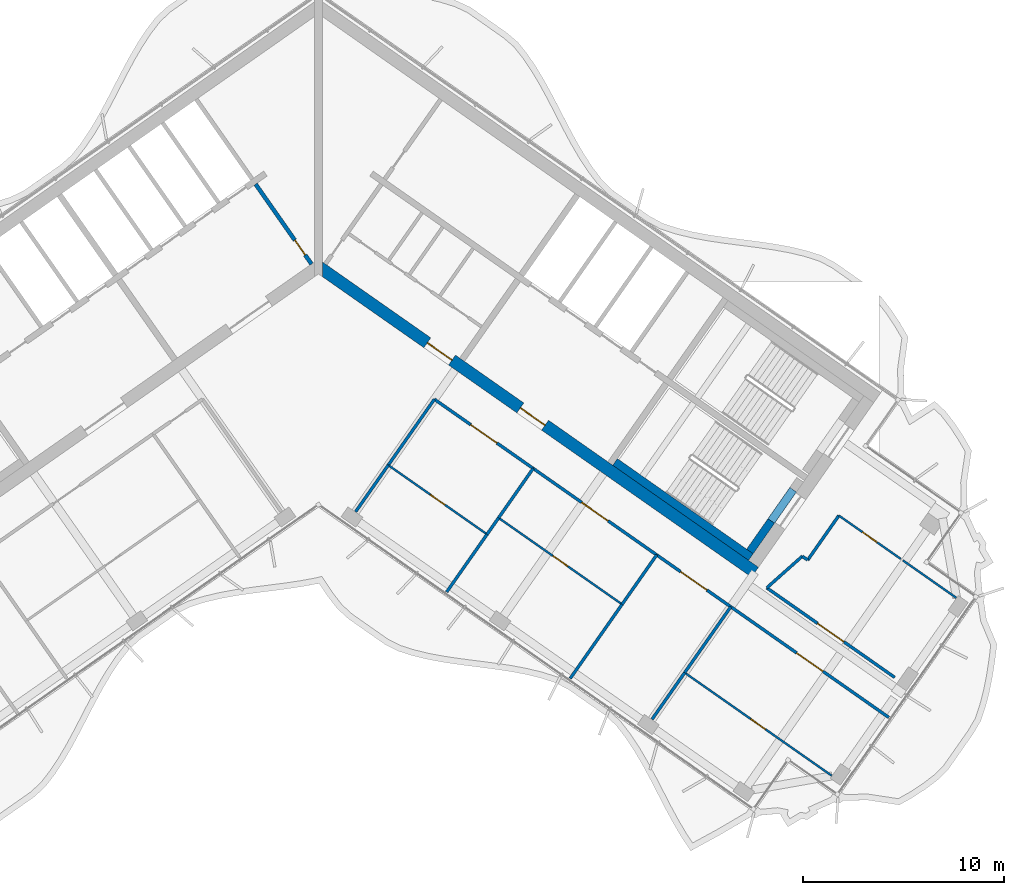
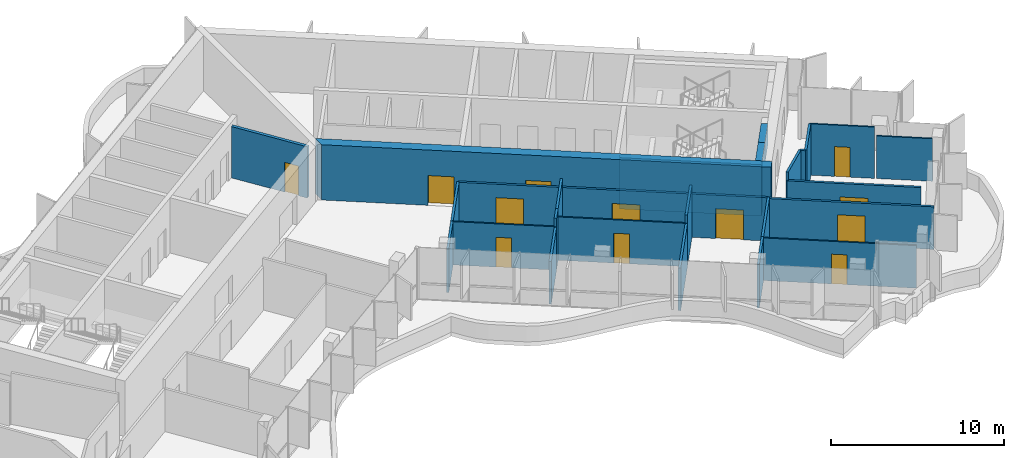
# One storey, part 12 of 20: 27 walls, 12 doors, 12 openings.
"""IFC4 building model written with IfcOpenShell, lengths in metres."""

from ifc_helpers import new_model, si_unit, direction, frame, frame_2d, origin, place, context, subcontext, project, spatial, polyline, rectangle, outline, extrude, material, layer, layer_set, type_object, element, fill, save


model = new_model("IFC4")

# Units and contexts
model_context = context("Model", 3, precision=1e-05, world=origin(), true_north=direction((0.0, 1.0)))
body_context = subcontext(model_context, "Body", "Model", "MODEL_VIEW")
ifc_project = project(units=[si_unit("LENGTHUNIT", "METRE"), si_unit("AREAUNIT", "SQUARE_METRE"), si_unit("VOLUMEUNIT", "CUBIC_METRE"), si_unit("PLANEANGLEUNIT", "RADIAN"), si_unit("MASSUNIT", "GRAM", prefix="KILO")], contexts=[model_context])

# Site, building, storey
site_placement = place(None, origin())
site = spatial("IfcSite", under=ifc_project, at=site_placement, CompositionType="ELEMENT")
building_placement = place(site_placement, origin())
building = spatial("IfcBuilding", under=site, at=building_placement, Name="Tel Ilan Convention Tower", CompositionType="ELEMENT")
storey_placement = place(building_placement, frame((0.0, 0.0, 244.89990234375)))
storey = spatial("IfcBuildingStorey", under=building, at=storey_placement, Name="L57", CompositionType="ELEMENT", Elevation=244.89990234375)

# Wall, opening, door
ifc_material_1 = material(Name="Concrete C30/37", Category="concrete")
ifc_layer_1 = layer(ifc_material_1, 0.199951171875)
ifc_layer_set_1 = layer_set([ifc_layer_1], Name="Core Service Room Wall 200 mm C30/37")
wall_type_1 = type_object("IfcWallType", Name="Core Service Room Wall 200 mm C30/37", PredefinedType="SOLIDWALL", material=ifc_layer_set_1)
wall_1_placement = place(storey_placement, frame((-0.343994140625, -0.729248046875, 0.0), z_axis=(0.0, 0.0, 1.0), x_axis=(-0.573560315113, 0.819163332265, 0.0)))
wall_1 = element("IfcWall", 1, at=wall_1_placement, inside=storey, type_object=wall_type_1, Name="L57 core wall apex-W", PredefinedType="SOLIDWALL", context=body_context, shape_type="SweptSolid", body=[
    extrude(rectangle(XDim=4.849853515625, YDim=0.199951171875, at=frame_2d((2.4248046875, 0.0))), origin(), (0.0, 0.0, 1.0), 3.6201171875),
])
opening_1_placement = place(wall_1_placement, frame((0.550048828125, 0.0, 0.0)))
opening_1 = element("IfcOpeningElement", 2, at=opening_1_placement, cuts=wall_1, Name="Opening CD4402", PredefinedType="OPENING", context=body_context, shape_type="SweptSolid", body=[
    extrude(rectangle(XDim=0.89990234375, YDim=2.10009765625, at=frame_2d((0.449951171875, 1.050048828125))), frame((0.0, 0.10986328125, 0.0), z_axis=(0.0, -1.0, 0.0), x_axis=(1.0, 0.0, 0.0)), (0.0, 0.0, 1.0), 0.219970703125),
])
ifc_material_2 = material(Name="Galvanised Steel Door Leaf", Category="steel")
door_type_1 = type_object("IfcDoorType", Name="Service Room Door 900 x 2100 FD60", OperationType="NOTDEFINED", PredefinedType="DOOR", material=ifc_material_2)
door_1_placement = place(opening_1_placement, origin())
door_1 = element("IfcDoor", 3, at=door_1_placement, inside=storey, type_object=door_type_1, Name="Riser Room door", OperationType="SINGLE_SWING_RIGHT", OverallHeight=2.10009765625, OverallWidth=0.89990234375, PredefinedType="DOOR", context=body_context, shape_type="SweptSolid", body=[
    extrude(rectangle(XDim=0.89990234375, YDim=2.10009765625, at=frame_2d((0.449951171875, 1.050048828125))), frame((0.0, 0.02490234375, 0.0), z_axis=(0.0, -1.0, 0.0), x_axis=(1.0, 0.0, 0.0)), (0.0, 0.0, 1.0), 0.050048828125),
])
fill(opening_1, door_1)

# Wall, openings, doors
ifc_material_3 = material(Name="Concrete C40/50", Category="concrete")
ifc_layer_2 = layer(ifc_material_3, 0.60009765625)
ifc_layer_set_2 = layer_set([ifc_layer_2], Name="Core Shear Wall 600 mm C40/50")
wall_type_2 = type_object("IfcWallType", Name="Core Shear Wall 600 mm C40/50", PredefinedType="SHEAR", material=ifc_layer_set_2)
wall_2_placement = place(storey_placement, frame((0.02783203125, -0.8740234375, 0.0), z_axis=(0.0, 0.0, 1.0), x_axis=(0.819150035022, -0.573579305871, 0.0)))
wall_2 = element("IfcWall", 4, at=wall_2_placement, inside=storey, type_object=wall_type_2, Name="L57 core wall E-front", PredefinedType="SHEAR", context=body_context, shape_type="SweptSolid", body=[
    extrude(outline(polyline([(26.475830078125, 0.300048828125), (0.000244140625, 0.300048828125), (0.420166015625, -0.300048828125), (26.475830078125, -0.2998046875), (26.475830078125, 0.300048828125)])), origin(), (0.0, 0.0, 1.0), 3.900146484375),
])
opening_2_placement = place(wall_2_placement, frame((6.57568359375, 0.0, 0.0)))
opening_2 = element("IfcOpeningElement", 5, at=opening_2_placement, cuts=wall_2, Name="Opening CD4404", PredefinedType="OPENING", context=body_context, shape_type="SweptSolid", body=[
    extrude(rectangle(XDim=1.5, YDim=2.10009765625, at=frame_2d((0.75, 1.050048828125))), frame((0.0, 0.31005859375, 0.0), z_axis=(0.0, -1.0, 0.0), x_axis=(1.0, 0.0, 0.0)), (0.0, 0.0, 1.0), 0.6201171875),
])
opening_3_placement = place(wall_2_placement, frame((12.225830078125, 0.0, 0.0)))
opening_3 = element("IfcOpeningElement", 6, at=opening_3_placement, cuts=wall_2, Name="Opening CD4405", PredefinedType="OPENING", context=body_context, shape_type="SweptSolid", body=[
    extrude(rectangle(XDim=1.5, YDim=2.10009765625, at=frame_2d((0.75, 1.050048828125))), frame((0.0, 0.31005859375, 0.0), z_axis=(0.0, -1.0, 0.0), x_axis=(1.0, 0.0, 0.0)), (0.0, 0.0, 1.0), 0.6201171875),
])
ifc_material_4 = material(Name="Glazed Aluminium Door Leaf", Category="aluminium")
door_type_2 = type_object("IfcDoorType", Name="Lobby Opening Door 1500 x 2100 FD60S", OperationType="NOTDEFINED", PredefinedType="DOOR", material=ifc_material_4)
door_2_placement = place(opening_3_placement, origin())
door_2 = element("IfcDoor", 7, at=door_2_placement, inside=storey, type_object=door_type_2, Name="Firefighting Lobby door", OperationType="DOUBLE_DOOR_SINGLE_SWING", OverallHeight=2.10009765625, OverallWidth=1.5, PredefinedType="DOOR", context=body_context, shape_type="SweptSolid", body=[
    extrude(rectangle(XDim=1.5, YDim=2.10009765625, at=frame_2d((0.75, 1.050048828125))), frame((0.0, 0.02490234375, 0.0), z_axis=(0.0, -1.0, 0.0), x_axis=(1.0, 0.0, 0.0)), (0.0, 0.0, 1.0), 0.050048828125),
])
fill(opening_3, door_2)
ifc_material_5 = material(Name="Laminated Timber Door Leaf", Category="wood")
door_type_3 = type_object("IfcDoorType", Name="Toilet Door 1500 x 2100 FD30S", OperationType="NOTDEFINED", PredefinedType="DOOR", material=ifc_material_5)
door_3_placement = place(opening_2_placement, origin())
door_3 = element("IfcDoor", 8, at=door_3_placement, inside=storey, type_object=door_type_3, Name="WC Lobby door", OperationType="SINGLE_SWING_RIGHT", OverallHeight=2.10009765625, OverallWidth=1.5, PredefinedType="DOOR", context=body_context, shape_type="SweptSolid", body=[
    extrude(rectangle(XDim=1.5, YDim=2.10009765625, at=frame_2d((0.75, 1.050048828125))), frame((0.0, 0.02490234375, 0.0), z_axis=(0.0, -1.0, 0.0), x_axis=(1.0, 0.0, 0.0)), (0.0, 0.0, 1.0), 0.050048828125),
])
fill(opening_2, door_3)

# Wall, opening, door
ifc_material_6 = material(Name="Plasterboard on Steel Studs", Category="steel")
ifc_layer_3 = layer(ifc_material_6, 0.14990234375)
ifc_layer_set_3 = layer_set([ifc_layer_3], Name="Fire-rated Partition 150 EI 60")
wall_type_3 = type_object("IfcWallType", Name="Fire-rated Partition 150 EI 60", PredefinedType="PARTITIONING", material=ifc_layer_set_3)
wall_3_placement = place(storey_placement, frame((22.299560546875, -16.835205078125, 0.0), z_axis=(0.0, 0.0, 1.0), x_axis=(0.819153708931, -0.573574058989, 0.0)))
wall_3 = element("IfcWall", 9, at=wall_3_placement, inside=storey, type_object=wall_type_3, Name="Partition 001", PredefinedType="PARTITIONING", context=body_context, shape_type="SweptSolid", body=[
    extrude(rectangle(XDim=7.773193359375, YDim=0.14990234375, at=frame_2d((3.88671875, 0.0))), origin(), (0.0, 0.0, 1.0), 3.050048828125),
])
opening_4_placement = place(wall_3_placement, frame((3.086669921875, 0.0, 0.0)))
opening_4 = element("IfcOpeningElement", 10, at=opening_4_placement, cuts=wall_3, Name="Opening L57-015", PredefinedType="OPENING", context=body_context, shape_type="SweptSolid", body=[
    extrude(rectangle(XDim=1.60009765625, YDim=2.10009765625, at=frame_2d((0.800048828125, 1.050048828125))), frame((0.0, 0.0849609375, 0.0), z_axis=(0.0, -1.0, 0.0), x_axis=(1.0, 0.0, 0.0)), (0.0, 0.0, 1.0), 0.169921875),
])
ifc_material_7 = material(Name="Timber Door Leaf in Steel Frame", Category="steel")
door_type_4 = type_object("IfcDoorType", Name="Tenant Suite Entrance Fire Door 1600x2100", OperationType="NOTDEFINED", PredefinedType="DOOR", material=ifc_material_7)
door_4_placement = place(opening_4_placement, origin())
door_4 = element("IfcDoor", 11, at=door_4_placement, inside=storey, type_object=door_type_4, Name="Door L57-015", OperationType="DOUBLE_DOOR_SINGLE_SWING", OverallHeight=2.10009765625, OverallWidth=1.60009765625, PredefinedType="DOOR", context=body_context, shape_type="SweptSolid", body=[
    extrude(rectangle(XDim=1.60009765625, YDim=2.10009765625, at=frame_2d((0.800048828125, 1.050048828125))), frame((0.0, 0.02490234375, 0.0), z_axis=(0.0, -1.0, 0.0), x_axis=(1.0, 0.0, 0.0)), (0.0, 0.0, 1.0), 0.050048828125),
])
fill(opening_4, door_4)

wall_4_placement = place(storey_placement, frame((10.682861328125, -10.8984375, 0.0), z_axis=(0.0, 0.0, 1.0), x_axis=(-0.819147828287, 0.573582457378, 0.0)))
wall_4 = element("IfcWall", 12, at=wall_4_placement, inside=storey, type_object=wall_type_3, Name="Partition 002", PredefinedType="PARTITIONING", context=body_context, shape_type="SweptSolid", body=[
    extrude(rectangle(XDim=6.001953125, YDim=0.14990234375, at=frame_2d((3.0009765625, 0.0))), origin(), (0.0, 0.0, 1.0), 3.050048828125),
])
opening_5_placement = place(wall_4_placement, frame((2.200927734375, 0.0, 0.0)))
opening_5 = element("IfcOpeningElement", 13, at=opening_5_placement, cuts=wall_4, Name="Opening L57-008", PredefinedType="OPENING", context=body_context, shape_type="SweptSolid", body=[
    extrude(rectangle(XDim=1.60009765625, YDim=2.10009765625, at=frame_2d((0.800048828125, 1.050048828125))), frame((0.0, 0.0849609375, 0.0), z_axis=(0.0, -1.0, 0.0), x_axis=(1.0, 0.0, 0.0)), (0.0, 0.0, 1.0), 0.169921875),
])
door_5_placement = place(opening_5_placement, origin())
door_5 = element("IfcDoor", 14, at=door_5_placement, inside=storey, type_object=door_type_4, Name="Door L57-008", OperationType="DOUBLE_DOOR_SINGLE_SWING", OverallHeight=2.10009765625, OverallWidth=1.60009765625, PredefinedType="DOOR", context=body_context, shape_type="SweptSolid", body=[
    extrude(rectangle(XDim=1.60009765625, YDim=2.10009765625, at=frame_2d((0.800048828125, 1.050048828125))), frame((0.0, 0.02490234375, 0.0), z_axis=(0.0, -1.0, 0.0), x_axis=(1.0, 0.0, 0.0)), (0.0, 0.0, 1.0), 0.050048828125),
])
fill(opening_5, door_5)

wall_5_placement = place(storey_placement, frame((16.826416015625, -15.2001953125, 0.0), z_axis=(0.0, 0.0, 1.0), x_axis=(-0.819138671238, 0.573595534573, 0.0)))
wall_5 = element("IfcWall", 15, at=wall_5_placement, inside=storey, type_object=wall_type_3, Name="Partition 003", PredefinedType="PARTITIONING", context=body_context, shape_type="SweptSolid", body=[
    extrude(rectangle(XDim=7.50390625, YDim=0.14990234375, at=frame_2d((3.751953125, 0.0))), origin(), (0.0, 0.0, 1.0), 3.050048828125),
])
opening_6_placement = place(wall_5_placement, frame((2.951904296875, 0.0, 0.0)))
opening_6 = element("IfcOpeningElement", 16, at=opening_6_placement, cuts=wall_5, Name="Opening L57-010", PredefinedType="OPENING", context=body_context, shape_type="SweptSolid", body=[
    extrude(rectangle(XDim=1.60009765625, YDim=2.10009765625, at=frame_2d((0.800048828125, 1.050048828125))), frame((0.0, 0.0849609375, 0.0), z_axis=(0.0, -1.0, 0.0), x_axis=(1.0, 0.0, 0.0)), (0.0, 0.0, 1.0), 0.169921875),
])
door_6_placement = place(opening_6_placement, origin())
door_6 = element("IfcDoor", 17, at=door_6_placement, inside=storey, type_object=door_type_4, Name="Door L57-010", OperationType="DOUBLE_DOOR_SINGLE_SWING", OverallHeight=2.10009765625, OverallWidth=1.60009765625, PredefinedType="DOOR", context=body_context, shape_type="SweptSolid", body=[
    extrude(rectangle(XDim=1.60009765625, YDim=2.10009765625, at=frame_2d((0.800048828125, 1.050048828125))), frame((0.0, 0.02490234375, 0.0), z_axis=(0.0, -1.0, 0.0), x_axis=(1.0, 0.0, 0.0)), (0.0, 0.0, 1.0), 0.050048828125),
])
fill(opening_6, door_6)

wall_6_placement = place(storey_placement, frame((20.5126953125, -17.78125, 0.0), z_axis=(0.0, 0.0, 1.0), x_axis=(-0.819165703328, 0.573556928727, 0.0)))
wall_6 = element("IfcWall", 18, at=wall_6_placement, inside=storey, type_object=wall_type_3, Name="Partition 004", PredefinedType="PARTITIONING", context=body_context, shape_type="SweptSolid", body=[
    extrude(rectangle(XDim=4.50390625, YDim=0.14990234375, at=frame_2d((2.251953125, 0.0))), origin(), (0.0, 0.0, 1.0), 3.050048828125),
])
opening_7_placement = place(wall_6_placement, frame((1.451904296875, 0.0, 0.0)))
opening_7 = element("IfcOpeningElement", 19, at=opening_7_placement, cuts=wall_6, Name="Opening L57-012", PredefinedType="OPENING", context=body_context, shape_type="SweptSolid", body=[
    extrude(rectangle(XDim=1.60009765625, YDim=2.10009765625, at=frame_2d((0.800048828125, 1.050048828125))), frame((0.0, 0.0849609375, 0.0), z_axis=(0.0, -1.0, 0.0), x_axis=(1.0, 0.0, 0.0)), (0.0, 0.0, 1.0), 0.169921875),
])
door_7_placement = place(opening_7_placement, origin())
door_7 = element("IfcDoor", 20, at=door_7_placement, inside=storey, type_object=door_type_4, Name="Door L57-012", OperationType="DOUBLE_DOOR_SINGLE_SWING", OverallHeight=2.10009765625, OverallWidth=1.60009765625, PredefinedType="DOOR", context=body_context, shape_type="SweptSolid", body=[
    extrude(rectangle(XDim=1.60009765625, YDim=2.10009765625, at=frame_2d((0.800048828125, 1.050048828125))), frame((0.0, 0.02490234375, 0.0), z_axis=(0.0, -1.0, 0.0), x_axis=(1.0, 0.0, 0.0)), (0.0, 0.0, 1.0), 0.050048828125),
])
fill(opening_7, door_7)

wall_7_placement = place(storey_placement, frame((28.375, -23.28662109375, 0.0), z_axis=(0.0, 0.0, 1.0), x_axis=(-0.819147101588, 0.573583495196, 0.0)))
wall_7 = element("IfcWall", 21, at=wall_7_placement, inside=storey, type_object=wall_type_3, Name="Partition 005", PredefinedType="PARTITIONING", context=body_context, shape_type="SweptSolid", body=[
    extrude(rectangle(XDim=9.60205078125, YDim=0.14990234375, at=frame_2d((4.801025390625, 0.0))), origin(), (0.0, 0.0, 1.0), 3.0),
])
opening_8_placement = place(wall_7_placement, frame((4.0009765625, 0.0, 0.0)))
opening_8 = element("IfcOpeningElement", 22, at=opening_8_placement, cuts=wall_7, Name="Opening L57-013", PredefinedType="OPENING", context=body_context, shape_type="SweptSolid", body=[
    extrude(rectangle(XDim=1.60009765625, YDim=2.10009765625, at=frame_2d((0.800048828125, 1.050048828125))), frame((0.0, 0.0849609375, 0.0), z_axis=(0.0, -1.0, 0.0), x_axis=(1.0, 0.0, 0.0)), (0.0, 0.0, 1.0), 0.169921875),
])
door_8_placement = place(opening_8_placement, origin())
door_8 = element("IfcDoor", 23, at=door_8_placement, inside=storey, type_object=door_type_4, Name="Door L57-013", OperationType="DOUBLE_DOOR_SINGLE_SWING", OverallHeight=2.10009765625, OverallWidth=1.60009765625, PredefinedType="DOOR", context=body_context, shape_type="SweptSolid", body=[
    extrude(rectangle(XDim=1.60009765625, YDim=2.10009765625, at=frame_2d((0.800048828125, 1.050048828125))), frame((0.0, 0.02490234375, 0.0), z_axis=(0.0, -1.0, 0.0), x_axis=(1.0, 0.0, 0.0)), (0.0, 0.0, 1.0), 0.050048828125),
])
fill(opening_8, door_8)

# Walls
wall_8_placement = place(storey_placement, frame((22.30126953125, -16.836181640625, 0.0), z_axis=(0.0, 0.0, 1.0), x_axis=(0.746924703007, 0.664908631345, 0.0)))
element("IfcWall", 24, at=wall_8_placement, inside=storey, type_object=wall_type_3, Name="Partition 014", PredefinedType="PARTITIONING", context=body_context, shape_type="SweptSolid", body=[
    extrude(rectangle(XDim=2.363525390625, YDim=0.14990234375, at=frame_2d((1.181640625, 0.0))), origin(), (0.0, 0.0, 1.0), 3.6201171875),
])
wall_9_placement = place(storey_placement, frame((24.066650390625, -15.2646484375, 0.0), z_axis=(0.0, 0.0, 1.0), x_axis=(0.819092976344, -0.573660784876, 0.0)))
element("IfcWall", 25, at=wall_9_placement, inside=storey, type_object=wall_type_3, Name="Partition 015", PredefinedType="PARTITIONING", context=body_context, shape_type="SweptSolid", body=[
    extrude(rectangle(XDim=0.330322265625, YDim=0.14990234375, at=frame_2d((0.1650390625, 0.0))), origin(), (0.0, 0.0, 1.0), 3.6201171875),
])
wall_10_placement = place(storey_placement, frame((24.337158203125, -15.4541015625, 0.0), z_axis=(0.0, 0.0, 1.0), x_axis=(0.573626181702, 0.819117209968, 0.0)))
element("IfcWall", 26, at=wall_10_placement, inside=storey, type_object=wall_type_3, Name="Partition 016", PredefinedType="PARTITIONING", context=body_context, shape_type="SweptSolid", body=[
    extrude(rectangle(XDim=2.699951171875, YDim=0.14990234375, at=frame_2d((1.35009765625, 0.0))), origin(), (0.0, 0.0, 1.0), 3.6201171875),
])
wall_11_placement = place(storey_placement, frame((8.386474609375, -14.1748046875, 0.0), z_axis=(0.0, 0.0, 1.0), x_axis=(-0.573602818234, -0.819133570863, 0.0)))
element("IfcWall", 27, at=wall_11_placement, inside=storey, type_object=wall_type_3, Name="Partition 018", PredefinedType="PARTITIONING", context=body_context, shape_type="SweptSolid", body=[
    extrude(rectangle(XDim=3.4990234375, YDim=0.14990234375, at=frame_2d((1.74951171875, 0.0))), origin(), (0.0, 0.0, 1.0), 3.0),
])
wall_12_placement = place(storey_placement, frame((1.848876953125, -13.050537109375, 0.0), z_axis=(0.0, 0.0, 1.0), x_axis=(0.573555012677, 0.819167044889, 0.0)))
element("IfcWall", 28, at=wall_12_placement, inside=storey, type_object=wall_type_3, Name="Partition 019", PredefinedType="PARTITIONING", context=body_context, shape_type="SweptSolid", body=[
    extrude(rectangle(XDim=2.828857421875, YDim=0.14990234375, at=frame_2d((1.41455078125, 0.0))), origin(), (0.0, 0.0, 1.0), 3.050048828125),
])
wall_13_placement = place(storey_placement, frame((8.961181640625, -13.35400390625, 0.0), z_axis=(0.0, 0.0, 1.0), x_axis=(-0.573691505171, -0.819071460188, 0.0)))
element("IfcWall", 29, at=wall_13_placement, inside=storey, type_object=wall_type_3, Name="Partition 020", PredefinedType="PARTITIONING", context=body_context, shape_type="SweptSolid", body=[
    extrude(rectangle(XDim=1.0009765625, YDim=0.14990234375, at=frame_2d((0.50048828125, 0.0))), origin(), (0.0, 0.0, 1.0), 3.6201171875),
])
wall_14_placement = place(storey_placement, frame((10.681396484375, -10.897216796875, 0.0), z_axis=(0.0, 0.0, 1.0), x_axis=(-0.57356603932, -0.81915932427, 0.0)))
element("IfcWall", 30, at=wall_14_placement, inside=storey, type_object=wall_type_3, Name="Partition 021", PredefinedType="PARTITIONING", context=body_context, shape_type="SweptSolid", body=[
    extrude(rectangle(XDim=3.002197265625, YDim=0.14990234375, at=frame_2d((1.5009765625, 0.0))), origin(), (0.0, 0.0, 1.0), 3.6201171875),
])
wall_15_placement = place(storey_placement, frame((3.471923828125, -10.732421875, 0.0), z_axis=(0.0, 0.0, 1.0), x_axis=(0.573597512525, 0.819137286189, 0.0)))
element("IfcWall", 31, at=wall_15_placement, inside=storey, type_object=wall_type_3, Name="Partition 022", PredefinedType="PARTITIONING", context=body_context, shape_type="SweptSolid", body=[
    extrude(rectangle(XDim=4.0, YDim=0.14990234375, at=frame_2d((2.0, 0.0))), origin(), (0.0, 0.0, 1.0), 3.050048828125),
])
wall_16_placement = place(storey_placement, frame((15.103515625, -17.657470703125, 0.0), z_axis=(0.0, 0.0, 1.0), x_axis=(-0.573553393703, -0.819168178442, 0.0)))
element("IfcWall", 32, at=wall_16_placement, inside=storey, type_object=wall_type_3, Name="Partition 024", PredefinedType="PARTITIONING", context=body_context, shape_type="SweptSolid", body=[
    extrude(rectangle(XDim=4.498779296875, YDim=0.14990234375, at=frame_2d((2.24951171875, 0.0))), origin(), (0.0, 0.0, 1.0), 3.0),
])
wall_17_placement = place(storey_placement, frame((16.824951171875, -15.19921875, 0.0), z_axis=(0.0, 0.0, 1.0), x_axis=(-0.573598887793, -0.819136323161, 0.0)))
element("IfcWall", 33, at=wall_17_placement, inside=storey, type_object=wall_type_3, Name="Partition 025", PredefinedType="PARTITIONING", context=body_context, shape_type="SweptSolid", body=[
    extrude(rectangle(XDim=2.999755859375, YDim=0.14990234375, at=frame_2d((1.5, 0.0))), origin(), (0.0, 0.0, 1.0), 3.6201171875),
])
wall_18_placement = place(storey_placement, frame((18.21728515625, -21.055908203125, 0.0), z_axis=(0.0, 0.0, 1.0), x_axis=(-0.573560731169, -0.819163040952, 0.0)))
element("IfcWall", 34, at=wall_18_placement, inside=storey, type_object=wall_type_3, Name="Partition 026", PredefinedType="PARTITIONING", context=body_context, shape_type="SweptSolid", body=[
    extrude(rectangle(XDim=2.8310546875, YDim=0.14990234375, at=frame_2d((1.41552734375, 0.0))), origin(), (0.0, 0.0, 1.0), 3.050048828125),
])
wall_19_placement = place(storey_placement, frame((20.510986328125, -17.7802734375, 0.0), z_axis=(0.0, 0.0, 1.0), x_axis=(-0.573589265117, -0.819143061341, 0.0)))
element("IfcWall", 35, at=wall_19_placement, inside=storey, type_object=wall_type_3, Name="Partition 027", PredefinedType="PARTITIONING", context=body_context, shape_type="SweptSolid", body=[
    extrude(rectangle(XDim=4.001953125, YDim=0.14990234375, at=frame_2d((2.0009765625, 0.0))), origin(), (0.0, 0.0, 1.0), 3.050048828125),
])
ifc_material_8 = material(Name="Plasterboard on Steel Studs", Category="steel")
ifc_layer_4 = layer(ifc_material_8, 0.10009765625)
ifc_layer_set_4 = layer_set([ifc_layer_4], Name="Plasterboard Partition 100")
wall_type_4 = type_object("IfcWallType", Name="Plasterboard Partition 100", PredefinedType="PARTITIONING", material=ifc_layer_set_4)
wall_20_placement = place(storey_placement, frame((29.064697265625, -15.467041015625, 0.0), z_axis=(0.0, 0.0, 1.0), x_axis=(0.819143686935, -0.573588371704, 0.0)))
element("IfcWall", 36, at=wall_20_placement, inside=storey, type_object=wall_type_4, Name="Partition 012", PredefinedType="PARTITIONING", context=body_context, shape_type="SweptSolid", body=[
    extrude(rectangle(XDim=3.250244140625, YDim=0.10009765625, at=frame_2d((1.625, 0.0))), origin(), (0.0, 0.0, 1.0), 3.0),
])

# Wall, opening, door
wall_21_placement = place(storey_placement, frame((25.885009765625, -13.240478515625, 0.0), z_axis=(0.0, 0.0, 1.0), x_axis=(0.819137356649, -0.573597411904, 0.0)))
wall_21 = element("IfcWall", 37, at=wall_21_placement, inside=storey, type_object=wall_type_4, Name="Partition 013", PredefinedType="PARTITIONING", context=body_context, shape_type="SweptSolid", body=[
    extrude(rectangle(XDim=3.760498046875, YDim=0.10009765625, at=frame_2d((1.88037109375, 0.0))), origin(), (0.0, 0.0, 1.0), 3.6201171875),
])
opening_9_placement = place(wall_21_placement, frame((1.43017578125, 0.0, 0.0)))
opening_9 = element("IfcOpeningElement", 38, at=opening_9_placement, cuts=wall_21, Name="Opening L57-016", PredefinedType="OPENING", context=body_context, shape_type="SweptSolid", body=[
    extrude(rectangle(XDim=0.89990234375, YDim=2.10009765625, at=frame_2d((0.449951171875, 1.050048828125))), frame((0.0, 0.06005859375, 0.0), z_axis=(0.0, -1.0, 0.0), x_axis=(1.0, 0.0, 0.0)), (0.0, 0.0, 1.0), 0.1201171875),
])
ifc_material_9 = material(Name="Timber Door Leaf in Steel Frame", Category="steel")
door_type_5 = type_object("IfcDoorType", Name="Room Timber Door 900x2100", OperationType="NOTDEFINED", PredefinedType="DOOR", material=ifc_material_9)
door_9_placement = place(opening_9_placement, origin())
door_9 = element("IfcDoor", 39, at=door_9_placement, inside=storey, type_object=door_type_5, Name="Door L57-016", OperationType="SINGLE_SWING_LEFT", OverallHeight=2.10009765625, OverallWidth=0.89990234375, PredefinedType="DOOR", context=body_context, shape_type="SweptSolid", body=[
    extrude(rectangle(XDim=0.89990234375, YDim=2.10009765625, at=frame_2d((0.449951171875, 1.050048828125))), frame((0.0, 0.02490234375, 0.0), z_axis=(0.0, -1.0, 0.0), x_axis=(1.0, 0.0, 0.0)), (0.0, 0.0, 1.0), 0.050048828125),
])
fill(opening_9, door_9)

wall_22_placement = place(storey_placement, frame((8.386474609375, -14.1748046875, 0.0), z_axis=(0.0, 0.0, 1.0), x_axis=(-0.819143979704, 0.5735879536, 0.0)))
wall_22 = element("IfcWall", 40, at=wall_22_placement, inside=storey, type_object=wall_type_4, Name="Partition 017", PredefinedType="PARTITIONING", context=body_context, shape_type="SweptSolid", body=[
    extrude(rectangle(XDim=6.000244140625, YDim=0.10009765625, at=frame_2d((3.0, 0.0))), origin(), (0.0, 0.0, 1.0), 3.050048828125),
])
opening_10_placement = place(wall_22_placement, frame((2.550048828125, 0.0, 0.0)))
opening_10 = element("IfcOpeningElement", 41, at=opening_10_placement, cuts=wall_22, Name="Opening L57-009", PredefinedType="OPENING", context=body_context, shape_type="SweptSolid", body=[
    extrude(rectangle(XDim=0.89990234375, YDim=2.10009765625, at=frame_2d((0.449951171875, 1.050048828125))), frame((0.0, 0.06005859375, 0.0), z_axis=(0.0, -1.0, 0.0), x_axis=(1.0, 0.0, 0.0)), (0.0, 0.0, 1.0), 0.1201171875),
])
door_10_placement = place(opening_10_placement, origin())
door_10 = element("IfcDoor", 42, at=door_10_placement, inside=storey, type_object=door_type_5, Name="Door L57-009", OperationType="SINGLE_SWING_LEFT", OverallHeight=2.10009765625, OverallWidth=0.89990234375, PredefinedType="DOOR", context=body_context, shape_type="SweptSolid", body=[
    extrude(rectangle(XDim=0.89990234375, YDim=2.10009765625, at=frame_2d((0.449951171875, 1.050048828125))), frame((0.0, 0.02490234375, 0.0), z_axis=(0.0, -1.0, 0.0), x_axis=(1.0, 0.0, 0.0)), (0.0, 0.0, 1.0), 0.050048828125),
])
fill(opening_10, door_10)

wall_23_placement = place(storey_placement, frame((15.103515625, -17.657470703125, 0.0), z_axis=(0.0, 0.0, 1.0), x_axis=(-0.819137093595, 0.573597787563, 0.0)))
wall_23 = element("IfcWall", 43, at=wall_23_placement, inside=storey, type_object=wall_type_4, Name="Partition 023", PredefinedType="PARTITIONING", context=body_context, shape_type="SweptSolid", body=[
    extrude(rectangle(XDim=7.5, YDim=0.10009765625, at=frame_2d((3.75, 0.0))), origin(), (0.0, 0.0, 1.0), 3.050048828125),
])
opening_11_placement = place(wall_23_placement, frame((3.300048828125, 0.0, 0.0)))
opening_11 = element("IfcOpeningElement", 44, at=opening_11_placement, cuts=wall_23, Name="Opening L57-011", PredefinedType="OPENING", context=body_context, shape_type="SweptSolid", body=[
    extrude(rectangle(XDim=0.89990234375, YDim=2.10009765625, at=frame_2d((0.449951171875, 1.050048828125))), frame((0.0, 0.06005859375, 0.0), z_axis=(0.0, -1.0, 0.0), x_axis=(1.0, 0.0, 0.0)), (0.0, 0.0, 1.0), 0.1201171875),
])
door_11_placement = place(opening_11_placement, origin())
door_11 = element("IfcDoor", 45, at=door_11_placement, inside=storey, type_object=door_type_5, Name="Door L57-011", OperationType="SINGLE_SWING_LEFT", OverallHeight=2.10009765625, OverallWidth=0.89990234375, PredefinedType="DOOR", context=body_context, shape_type="SweptSolid", body=[
    extrude(rectangle(XDim=0.89990234375, YDim=2.10009765625, at=frame_2d((0.449951171875, 1.050048828125))), frame((0.0, 0.02490234375, 0.0), z_axis=(0.0, -1.0, 0.0), x_axis=(1.0, 0.0, 0.0)), (0.0, 0.0, 1.0), 0.050048828125),
])
fill(opening_11, door_11)

wall_24_placement = place(storey_placement, frame((25.53125, -26.1796875, 0.0), z_axis=(0.0, 0.0, 1.0), x_axis=(-0.819147140662, 0.573583439393, 0.0)))
wall_24 = element("IfcWall", 46, at=wall_24_placement, inside=storey, type_object=wall_type_4, Name="Partition 028", PredefinedType="PARTITIONING", context=body_context, shape_type="SweptSolid", body=[
    extrude(rectangle(XDim=8.929931640625, YDim=0.10009765625, at=frame_2d((4.46484375, 0.0))), origin(), (0.0, 0.0, 1.0), 3.0),
])
opening_12_placement = place(wall_24_placement, frame((4.014892578125, 0.0, 0.0)))
opening_12 = element("IfcOpeningElement", 47, at=opening_12_placement, cuts=wall_24, Name="Opening L57-014", PredefinedType="OPENING", context=body_context, shape_type="SweptSolid", body=[
    extrude(rectangle(XDim=0.89990234375, YDim=2.10009765625, at=frame_2d((0.449951171875, 1.050048828125))), frame((0.0, 0.06005859375, 0.0), z_axis=(0.0, -1.0, 0.0), x_axis=(1.0, 0.0, 0.0)), (0.0, 0.0, 1.0), 0.1201171875),
])
door_12_placement = place(opening_12_placement, origin())
door_12 = element("IfcDoor", 48, at=door_12_placement, inside=storey, type_object=door_type_5, Name="Door L57-014", OperationType="SINGLE_SWING_LEFT", OverallHeight=2.10009765625, OverallWidth=0.89990234375, PredefinedType="DOOR", context=body_context, shape_type="SweptSolid", body=[
    extrude(rectangle(XDim=0.89990234375, YDim=2.10009765625, at=frame_2d((0.449951171875, 1.050048828125))), frame((0.0, 0.02490234375, 0.0), z_axis=(0.0, -1.0, 0.0), x_axis=(1.0, 0.0, 0.0)), (0.0, 0.0, 1.0), 0.050048828125),
])
fill(opening_12, door_12)

# Walls
ifc_material_10 = material(Name="Concrete C30/37", Category="concrete")
ifc_layer_5 = layer(ifc_material_10, 0.39990234375)
ifc_layer_set_5 = layer_set([ifc_layer_5], Name="Stair and Shaft Lining Wall 400 mm C30/37")
wall_type_5 = type_object("IfcWallType", Name="Stair and Shaft Lining Wall 400 mm C30/37", PredefinedType="SOLIDWALL", material=ifc_layer_set_5)
wall_25_placement = place(storey_placement, frame((14.7529296875, -10.57421875, 0.0), z_axis=(0.0, 0.0, 1.0), x_axis=(0.819158229677, -0.573567602601, 0.0)))
element("IfcWall", 49, at=wall_25_placement, inside=storey, type_object=wall_type_5, Name="L57 core wall lining-S4-t0", PredefinedType="SOLIDWALL", context=body_context, shape_type="SweptSolid", body=[
    extrude(rectangle(XDim=8.25, YDim=0.39990234375, at=frame_2d((4.125, 0.0))), origin(), (0.0, 0.0, 1.0), 3.6201171875),
])
wall_26_placement = place(storey_placement, frame((21.4619140625, -15.027587890625, 0.0), z_axis=(0.0, 0.0, 1.0), x_axis=(0.573559770908, 0.819163713305, 0.0)))
element("IfcWall", 50, at=wall_26_placement, inside=storey, type_object=wall_type_5, Name="L57 core wall lining-S4-u1-0", PredefinedType="SOLIDWALL", context=body_context, shape_type="SweptSolid", body=[
    extrude(rectangle(XDim=1.849853515625, YDim=0.39990234375, at=frame_2d((0.9248046875, 0.0))), origin(), (0.0, 0.0, 1.0), 3.6201171875),
])
wall_27_placement = place(storey_placement, frame((22.52294921875, -13.51220703125, 2.150146484375), z_axis=(0.0, 0.0, 1.0), x_axis=(0.573591692345, 0.819141361715, 0.0)))
element("IfcWall", 51, at=wall_27_placement, inside=storey, type_object=wall_type_5, Name="L57 core wall lining-S4-u1-lintel", PredefinedType="SOLIDWALL", context=body_context, shape_type="SweptSolid", body=[
    extrude(rectangle(XDim=1.900146484375, YDim=0.39990234375, at=frame_2d((0.9501953125, 0.0))), origin(), (0.0, 0.0, 1.0), 1.469970703125),
])

save(model, "model.ifc")
